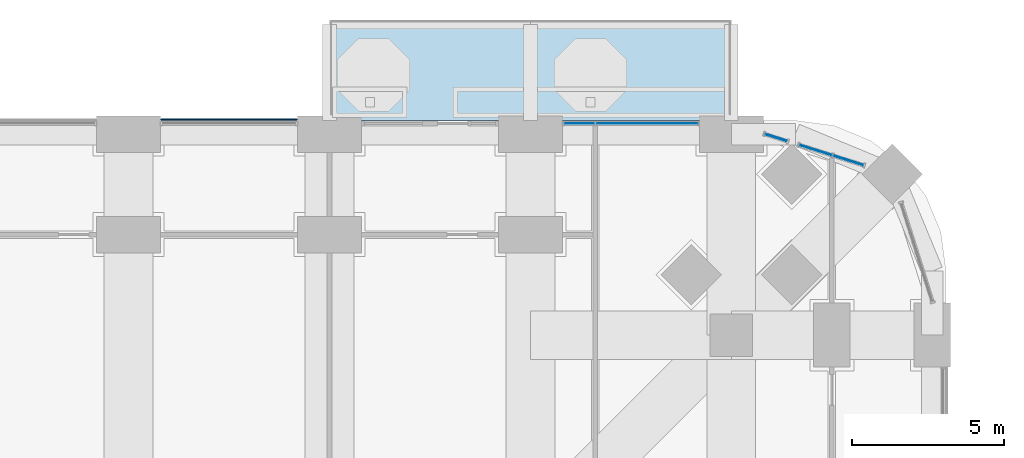
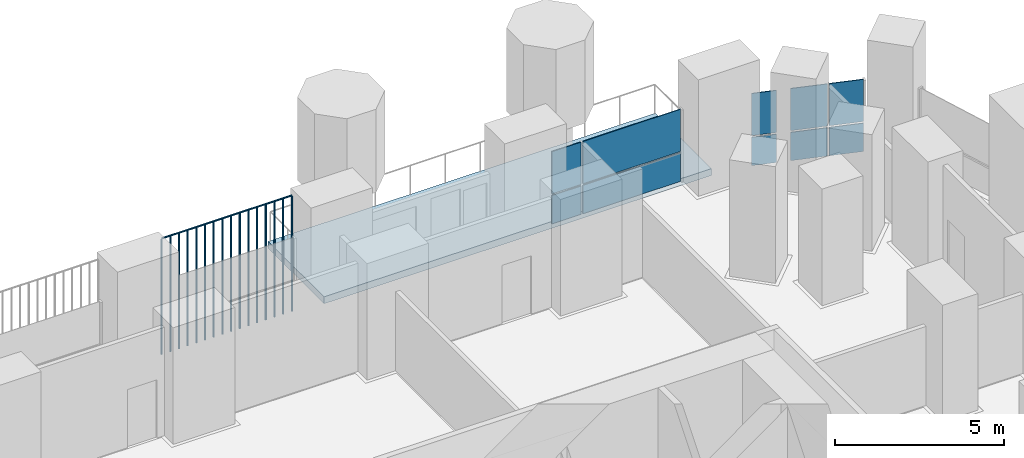
# One storey, part 17 of 27: 11 plates, 1 slab, 3 elements without a shape of their own.
"""IFC4 building model written with IfcOpenShell, lengths in metres."""

from ifc_helpers import new_model, si_unit, direction, frame, origin, origin_2d, place, context, subcontext, project, spatial, polyline, rectangle, outline, extrude, material, layer, layer_set, type_object, element, aggregate, save


model = new_model("IFC4")

# Units and contexts
model_context = context("Model", 3, precision=1e-05, world=origin(), true_north=direction((0.0, 1.0)))
body_context = subcontext(model_context, "Body", "Model", "MODEL_VIEW")
ifc_project = project(units=[si_unit("LENGTHUNIT", "METRE"), si_unit("AREAUNIT", "SQUARE_METRE"), si_unit("VOLUMEUNIT", "CUBIC_METRE"), si_unit("PLANEANGLEUNIT", "RADIAN"), si_unit("MASSUNIT", "GRAM", prefix="KILO")], contexts=[model_context])

# Site, building, storey
site_placement = place(None, origin())
site = spatial("IfcSite", under=ifc_project, at=site_placement, CompositionType="ELEMENT")
building_placement = place(site_placement, origin())
building = spatial("IfcBuilding", under=site, at=building_placement, Name="Cobogo Forest Laboratory Tower", CompositionType="ELEMENT")
storey_placement = place(building_placement, frame((0.0, 0.0, 63.300048828125)))
storey = spatial("IfcBuildingStorey", under=building, at=storey_placement, Name="L14", CompositionType="ELEMENT", Elevation=63.300048828125)

# Slab
ifc_material_1 = material(Name="Concrete HA-40 (C40/50)", Category="concrete")
ifc_layer_1 = layer(ifc_material_1, 0.25)
ifc_layer_set_1 = layer_set([ifc_layer_1], Name="Balcony slab 250")
slab_type = type_object("IfcSlabType", Name="Balcony slab 250", PredefinedType="FLOOR", material=ifc_layer_set_1)
slab_placement = place(storey_placement, frame((0.0, 0.0, -0.25)))
element("IfcSlab", 1, at=slab_placement, inside=storey, type_object=slab_type, Name="Balcony BAL-N2 L14", PredefinedType="FLOOR", context=body_context, shape_type="SweptSolid", body=[
    extrude(outline(polyline([(33.0, 46.64990234375), (46.199951171875, 46.64990234375), (46.199951171875, 49.949951171875), (33.0, 49.949951171875), (33.0, 46.64990234375)])), origin(), (0.0, 0.0, 1.0), 0.25),
])

# Curtain wall, plates
ifc_material_2 = material(Name="Aluminium curtain wall", Category="aluminium")
curtain_wall_type = type_object("IfcCurtainWallType", Name="CW-1 unitised curtain wall, clear glazing, laboratory floors zones A and B", PredefinedType="USERDEFINED", material=ifc_material_2)
curtain_wall_1_placement = place(storey_placement, origin())
curtain_wall_1 = element("IfcCurtainWall", 2, at=curtain_wall_1_placement, inside=storey, type_object=curtain_wall_type, Name="Curtain wall 16 L14", ObjectType="UNITISED CURTAIN WALL", PredefinedType="USERDEFINED")
ifc_material_3 = material(Name="Clear insulated glass", Category="glass")
ifc_layer_2 = layer(ifc_material_3, 0.028076171875)
ifc_layer_set_2 = layer_set([ifc_layer_2], Name="GP-1 clear insulated glass unit 28")
plate_type_1 = type_object("IfcPlateType", Name="GP-1 clear insulated glass unit 28", PredefinedType="CURTAIN_PANEL", material=ifc_layer_set_2)
plate_1_placement = place(storey_placement, frame((50.042724609375, 45.33642578125, 0.0), z_axis=(0.0, 0.0, 1.0), x_axis=(-0.953581409645, 0.301135343623, 0.0)))
plate_1 = element("IfcPlate", 3, at=plate_1_placement, type_object=plate_type_1, Name="CW-1 panel 1.1", PredefinedType="CURTAIN_PANEL", context=body_context, shape_type="SweptSolid", body=[
    extrude(rectangle(XDim=1.027587890625, YDim=0.028076171875, at=origin_2d()), origin(), (0.0, 0.0, 1.0), 1.02001953125),
])
plate_2_placement = place(storey_placement, frame((50.042724609375, 45.33642578125, 1.079833984375), z_axis=(0.0, 0.0, 1.0), x_axis=(-0.953581409645, 0.301135343623, 0.0)))
plate_2 = element("IfcPlate", 4, at=plate_2_placement, type_object=plate_type_1, Name="CW-1 panel 1.2", PredefinedType="CURTAIN_PANEL", context=body_context, shape_type="SweptSolid", body=[
    extrude(rectangle(XDim=1.027587890625, YDim=0.028076171875, at=origin_2d()), origin(), (0.0, 0.0, 1.0), 1.52001953125),
])
plate_3_placement = place(storey_placement, frame((48.963623046875, 45.67724609375, 0.0), z_axis=(0.0, 0.0, 1.0), x_axis=(-0.953581409645, 0.301135343623, 0.0)))
plate_3 = element("IfcPlate", 5, at=plate_3_placement, type_object=plate_type_1, Name="CW-1 panel 2.1", PredefinedType="CURTAIN_PANEL", context=body_context, shape_type="SweptSolid", body=[
    extrude(rectangle(XDim=1.11572265625, YDim=0.028076171875, at=origin_2d()), origin(), (0.0, 0.0, 1.0), 1.02001953125),
])
plate_4_placement = place(storey_placement, frame((48.963623046875, 45.67724609375, 1.079833984375), z_axis=(0.0, 0.0, 1.0), x_axis=(-0.953581409645, 0.301135343623, 0.0)))
plate_4 = element("IfcPlate", 6, at=plate_4_placement, type_object=plate_type_1, Name="CW-1 panel 2.2", PredefinedType="CURTAIN_PANEL", context=body_context, shape_type="SweptSolid", body=[
    extrude(rectangle(XDim=1.11572265625, YDim=0.028076171875, at=origin_2d()), origin(), (0.0, 0.0, 1.0), 1.52001953125),
])
aggregate(curtain_wall_1, [plate_1, plate_2, plate_3, plate_4])

curtain_wall_2_placement = place(storey_placement, origin())
curtain_wall_2 = element("IfcCurtainWall", 7, at=curtain_wall_2_placement, inside=storey, type_object=curtain_wall_type, Name="Curtain wall 17 L14", ObjectType="UNITISED CURTAIN WALL", PredefinedType="USERDEFINED")
plate_5_placement = place(storey_placement, frame((47.666015625, 46.087158203125, 0.0), z_axis=(0.0, 0.0, 1.0), x_axis=(-0.953581504428, 0.301135043481, 0.0)))
plate_5 = element("IfcPlate", 8, at=plate_5_placement, type_object=plate_type_1, Name="CW-1 panel 1.1", PredefinedType="CURTAIN_PANEL", context=body_context, shape_type="SweptSolid", body=[
    extrude(rectangle(XDim=0.75244140625, YDim=0.028076171875, at=origin_2d()), origin(), (0.0, 0.0, 1.0), 1.02001953125),
])
plate_6_placement = place(storey_placement, frame((47.666015625, 46.087158203125, 1.079833984375), z_axis=(0.0, 0.0, 1.0), x_axis=(-0.953581504428, 0.301135043481, 0.0)))
plate_6 = element("IfcPlate", 9, at=plate_6_placement, type_object=plate_type_1, Name="CW-1 panel 1.2", PredefinedType="CURTAIN_PANEL", context=body_context, shape_type="SweptSolid", body=[
    extrude(rectangle(XDim=0.75244140625, YDim=0.028076171875, at=origin_2d()), origin(), (0.0, 0.0, 1.0), 1.52001953125),
])
aggregate(curtain_wall_2, [plate_5, plate_6])

curtain_wall_3_placement = place(storey_placement, origin())
curtain_wall_3 = element("IfcCurtainWall", 10, at=curtain_wall_3_placement, inside=storey, type_object=curtain_wall_type, Name="Curtain wall 18 L14", ObjectType="UNITISED CURTAIN WALL", PredefinedType="USERDEFINED")
plate_7_placement = place(storey_placement, frame((43.422607421875, 46.550048828125, 0.0), z_axis=(0.0, 0.0, 1.0), x_axis=(-1.0, 0.0, 0.0)))
plate_7 = element("IfcPlate", 11, at=plate_7_placement, type_object=plate_type_1, Name="CW-1 panel 1.1", PredefinedType="CURTAIN_PANEL", context=body_context, shape_type="SweptSolid", body=[
    extrude(rectangle(XDim=3.3349609375, YDim=0.028076171875, at=origin_2d()), origin(), (0.0, 0.0, 1.0), 1.02001953125),
])
plate_8_placement = place(storey_placement, frame((43.422607421875, 46.550048828125, 1.079833984375), z_axis=(0.0, 0.0, 1.0), x_axis=(-1.0, 0.0, 0.0)))
plate_8 = element("IfcPlate", 12, at=plate_8_placement, type_object=plate_type_1, Name="CW-1 panel 1.2", PredefinedType="CURTAIN_PANEL", context=body_context, shape_type="SweptSolid", body=[
    extrude(rectangle(XDim=3.3349609375, YDim=0.028076171875, at=origin_2d()), origin(), (0.0, 0.0, 1.0), 1.52001953125),
])
plate_9_placement = place(storey_placement, frame((41.202392578125, 46.550048828125, 0.0), z_axis=(0.0, 0.0, 1.0), x_axis=(-1.0, 0.0, 0.0)))
plate_9 = element("IfcPlate", 13, at=plate_9_placement, type_object=plate_type_1, Name="CW-1 panel 2.1", PredefinedType="CURTAIN_PANEL", context=body_context, shape_type="SweptSolid", body=[
    extrude(rectangle(XDim=0.985107421875, YDim=0.028076171875, at=origin_2d()), origin(), (0.0, 0.0, 1.0), 1.02001953125),
])
plate_10_placement = place(storey_placement, frame((41.202392578125, 46.550048828125, 1.079833984375), z_axis=(0.0, 0.0, 1.0), x_axis=(-1.0, 0.0, 0.0)))
plate_10 = element("IfcPlate", 14, at=plate_10_placement, type_object=plate_type_1, Name="CW-1 panel 2.2", PredefinedType="CURTAIN_PANEL", context=body_context, shape_type="SweptSolid", body=[
    extrude(rectangle(XDim=0.985107421875, YDim=0.028076171875, at=origin_2d()), origin(), (0.0, 0.0, 1.0), 1.52001953125),
])
aggregate(curtain_wall_3, [plate_7, plate_8, plate_9, plate_10])

# Plate
ifc_material_4 = material(Name="Terracotta", Category="masonry")
plate_type_2 = type_object("IfcPlateType", Name="TB1 terracotta baguette screen", PredefinedType="USERDEFINED", material=ifc_material_4)
plate_11_placement = place(storey_placement, frame((27.481201171875, 46.677978515625, -0.150146484375)))
element("IfcPlate", 15, at=plate_11_placement, inside=storey, type_object=plate_type_2, Name="Baguette screen N4 L14", ObjectType="BAGUETTE SCREEN", PredefinedType="USERDEFINED", context=body_context, shape_type="SweptSolid", body=[
    extrude(outline(polyline([(0.02880859375, 0.011962890625), (0.011962890625, 0.02880859375), (-0.011962890625, 0.02880859375), (-0.02880859375, 0.011962890625), (-0.02880859375, -0.011962890625), (-0.011962890625, -0.02880859375), (0.011962890625, -0.02880859375), (0.02880859375, -0.011962890625), (0.02880859375, 0.011962890625)])), frame((0.0, 0.0, 4.168701171875), z_axis=(1.0, 0.0, 0.0), x_axis=(0.0, 1.0, 0.0)), (0.0, 0.0, 1.0), 4.4375),
    extrude(outline(polyline([(0.02880859375, 0.011962890625), (0.011962890625, 0.02880859375), (-0.011962890625, 0.02880859375), (-0.02880859375, 0.011962890625), (-0.02880859375, -0.011962890625), (-0.011962890625, -0.02880859375), (0.011962890625, -0.02880859375), (0.02880859375, -0.011962890625), (0.02880859375, 0.011962890625)])), origin(), (0.0, 0.0, 1.0), 4.137451171875),
    extrude(outline(polyline([(0.02880859375, 0.011962890625), (0.011962890625, 0.02880859375), (-0.011962890625, 0.02880859375), (-0.02880859375, 0.011962890625), (-0.02880859375, -0.011962890625), (-0.011962890625, -0.02880859375), (0.011962890625, -0.02880859375), (0.02880859375, -0.011962890625), (0.02880859375, 0.011962890625)])), frame((0.2958984375, 0.0, 0.0)), (0.0, 0.0, 1.0), 4.137451171875),
    extrude(outline(polyline([(0.02880859375, 0.011962890625), (0.011962890625, 0.02880859375), (-0.011962890625, 0.02880859375), (-0.02880859375, 0.011962890625), (-0.02880859375, -0.011962890625), (-0.011962890625, -0.02880859375), (0.011962890625, -0.02880859375), (0.02880859375, -0.011962890625), (0.02880859375, 0.011962890625)])), frame((0.591552734375, 0.0, 0.0)), (0.0, 0.0, 1.0), 4.137451171875),
    extrude(outline(polyline([(0.02880859375, 0.011962890625), (0.011962890625, 0.02880859375), (-0.011962890625, 0.02880859375), (-0.02880859375, 0.011962890625), (-0.02880859375, -0.011962890625), (-0.011962890625, -0.02880859375), (0.011962890625, -0.02880859375), (0.02880859375, -0.011962890625), (0.02880859375, 0.011962890625)])), frame((0.887451171875, 0.0, 0.0)), (0.0, 0.0, 1.0), 4.137451171875),
    extrude(outline(polyline([(0.02880859375, 0.011962890625), (0.011962890625, 0.02880859375), (-0.011962890625, 0.02880859375), (-0.02880859375, 0.011962890625), (-0.02880859375, -0.011962890625), (-0.011962890625, -0.02880859375), (0.011962890625, -0.02880859375), (0.02880859375, -0.011962890625), (0.02880859375, 0.011962890625)])), frame((1.183349609375, 0.0, 0.0)), (0.0, 0.0, 1.0), 4.137451171875),
    extrude(outline(polyline([(0.02880859375, 0.011962890625), (0.011962890625, 0.02880859375), (-0.011962890625, 0.02880859375), (-0.02880859375, 0.011962890625), (-0.02880859375, -0.011962890625), (-0.011962890625, -0.02880859375), (0.011962890625, -0.02880859375), (0.02880859375, -0.011962890625), (0.02880859375, 0.011962890625)])), frame((1.479248046875, 0.0, 0.0)), (0.0, 0.0, 1.0), 4.137451171875),
    extrude(outline(polyline([(0.02880859375, 0.011962890625), (0.011962890625, 0.02880859375), (-0.011962890625, 0.02880859375), (-0.02880859375, 0.011962890625), (-0.02880859375, -0.011962890625), (-0.011962890625, -0.02880859375), (0.011962890625, -0.02880859375), (0.02880859375, -0.011962890625), (0.02880859375, 0.011962890625)])), frame((1.77490234375, 0.0, 0.0)), (0.0, 0.0, 1.0), 4.137451171875),
    extrude(outline(polyline([(0.02880859375, 0.011962890625), (0.011962890625, 0.02880859375), (-0.011962890625, 0.02880859375), (-0.02880859375, 0.011962890625), (-0.02880859375, -0.011962890625), (-0.011962890625, -0.02880859375), (0.011962890625, -0.02880859375), (0.02880859375, -0.011962890625), (0.02880859375, 0.011962890625)])), frame((2.07080078125, 0.0, 0.0)), (0.0, 0.0, 1.0), 4.137451171875),
    extrude(outline(polyline([(0.02880859375, 0.011962890625), (0.011962890625, 0.02880859375), (-0.011962890625, 0.02880859375), (-0.02880859375, 0.011962890625), (-0.02880859375, -0.011962890625), (-0.011962890625, -0.02880859375), (0.011962890625, -0.02880859375), (0.02880859375, -0.011962890625), (0.02880859375, 0.011962890625)])), frame((2.36669921875, 0.0, 0.0)), (0.0, 0.0, 1.0), 4.137451171875),
    extrude(outline(polyline([(0.02880859375, 0.011962890625), (0.011962890625, 0.02880859375), (-0.011962890625, 0.02880859375), (-0.02880859375, 0.011962890625), (-0.02880859375, -0.011962890625), (-0.011962890625, -0.02880859375), (0.011962890625, -0.02880859375), (0.02880859375, -0.011962890625), (0.02880859375, 0.011962890625)])), frame((2.66259765625, 0.0, 0.0)), (0.0, 0.0, 1.0), 4.137451171875),
    extrude(outline(polyline([(0.02880859375, 0.011962890625), (0.011962890625, 0.02880859375), (-0.011962890625, 0.02880859375), (-0.02880859375, 0.011962890625), (-0.02880859375, -0.011962890625), (-0.011962890625, -0.02880859375), (0.011962890625, -0.02880859375), (0.02880859375, -0.011962890625), (0.02880859375, 0.011962890625)])), frame((2.958251953125, 0.0, 0.0)), (0.0, 0.0, 1.0), 4.137451171875),
    extrude(outline(polyline([(0.02880859375, 0.011962890625), (0.011962890625, 0.02880859375), (-0.011962890625, 0.02880859375), (-0.02880859375, 0.011962890625), (-0.02880859375, -0.011962890625), (-0.011962890625, -0.02880859375), (0.011962890625, -0.02880859375), (0.02880859375, -0.011962890625), (0.02880859375, 0.011962890625)])), frame((3.254150390625, 0.0, 0.0)), (0.0, 0.0, 1.0), 4.137451171875),
    extrude(outline(polyline([(0.02880859375, 0.011962890625), (0.011962890625, 0.02880859375), (-0.011962890625, 0.02880859375), (-0.02880859375, 0.011962890625), (-0.02880859375, -0.011962890625), (-0.011962890625, -0.02880859375), (0.011962890625, -0.02880859375), (0.02880859375, -0.011962890625), (0.02880859375, 0.011962890625)])), frame((3.550048828125, 0.0, 0.0)), (0.0, 0.0, 1.0), 4.137451171875),
    extrude(outline(polyline([(0.02880859375, 0.011962890625), (0.011962890625, 0.02880859375), (-0.011962890625, 0.02880859375), (-0.02880859375, 0.011962890625), (-0.02880859375, -0.011962890625), (-0.011962890625, -0.02880859375), (0.011962890625, -0.02880859375), (0.02880859375, -0.011962890625), (0.02880859375, 0.011962890625)])), frame((3.845947265625, 0.0, 0.0)), (0.0, 0.0, 1.0), 4.137451171875),
    extrude(outline(polyline([(0.02880859375, 0.011962890625), (0.011962890625, 0.02880859375), (-0.011962890625, 0.02880859375), (-0.02880859375, 0.011962890625), (-0.02880859375, -0.011962890625), (-0.011962890625, -0.02880859375), (0.011962890625, -0.02880859375), (0.02880859375, -0.011962890625), (0.02880859375, 0.011962890625)])), frame((4.1416015625, 0.0, 0.0)), (0.0, 0.0, 1.0), 4.137451171875),
    extrude(outline(polyline([(0.02880859375, 0.011962890625), (0.011962890625, 0.02880859375), (-0.011962890625, 0.02880859375), (-0.02880859375, 0.011962890625), (-0.02880859375, -0.011962890625), (-0.011962890625, -0.02880859375), (0.011962890625, -0.02880859375), (0.02880859375, -0.011962890625), (0.02880859375, 0.011962890625)])), frame((4.4375, 0.0, 0.0)), (0.0, 0.0, 1.0), 4.137451171875),
])

save(model, "model.ifc")
